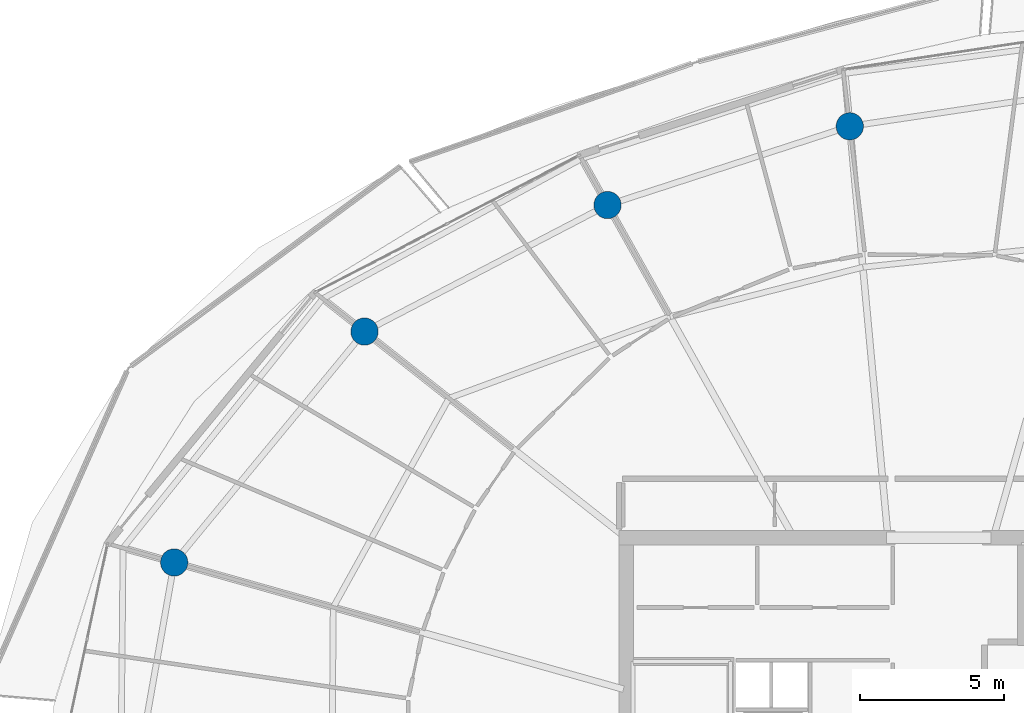
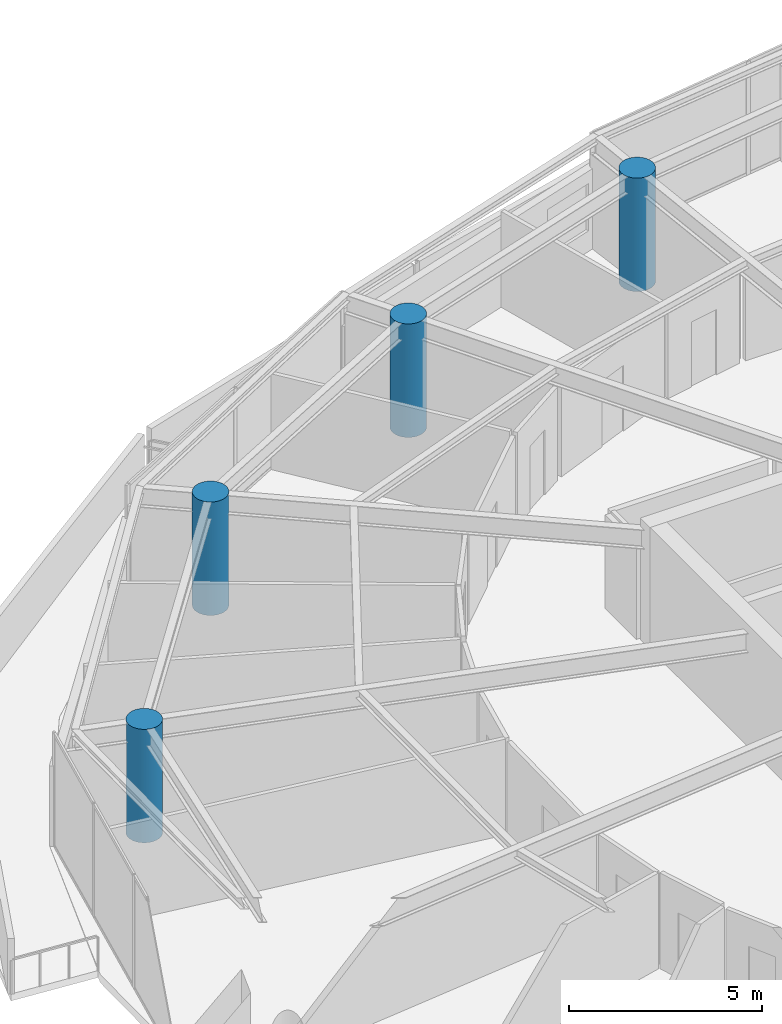
# One storey, part 4 of 30: 4 columns.
"""IFC4 building model written with IfcOpenShell, lengths in metres."""

from ifc_helpers import new_model, si_unit, direction, frame, origin, origin_2d, place, context, subcontext, project, spatial, circle, extrude, material, material_profile, profile_set, type_object, element, save


model = new_model("IFC4")

# Units and contexts
model_context = context("Model", 3, precision=1e-05, world=origin(), true_north=direction((0.0, 1.0)))
body_context = subcontext(model_context, "Body", "Model", "MODEL_VIEW")
ifc_project = project(units=[si_unit("LENGTHUNIT", "METRE"), si_unit("AREAUNIT", "SQUARE_METRE"), si_unit("VOLUMEUNIT", "CUBIC_METRE"), si_unit("PLANEANGLEUNIT", "RADIAN"), si_unit("MASSUNIT", "GRAM", prefix="KILO")], contexts=[model_context])

# Site, building, storey
site_placement = place(None, origin())
site = spatial("IfcSite", under=ifc_project, at=site_placement, CompositionType="ELEMENT")
building_placement = place(site_placement, origin())
building = spatial("IfcBuilding", under=site, at=building_placement, Name="Kazma Halo Residences", CompositionType="ELEMENT")
storey_placement = place(building_placement, frame((0.0, 0.0, 294.449951171875)))
storey = spatial("IfcBuildingStorey", under=building, at=storey_placement, Name="L74", CompositionType="ELEMENT", Elevation=294.449951171875)

# Columns
ifc_material = material(Name="Concrete C60/75", Category="concrete")
ifc_material_profile = material_profile(ifc_material, circle(Radius=0.47509765625, at=origin_2d()), Name="CIRC950")
ifc_profile_set = profile_set([ifc_material_profile], Name="Concrete C60/75")
column_type = type_object("IfcColumnType", Name="COL-PERIM-950", PredefinedType="COLUMN", material=ifc_profile_set)
for number, where, z_axis, x_axis, name in (
    (1, (45.32861328125, 64.57080078125, 0.0), (0.0, 0.0, 1.0), (1.0, 0.0, 0.0), "L74 perimeter ring column P04"),
    (2, (36.89453125, 61.830322265625, 0.0), (0.0, 0.0, 1.0), (1.0, 0.0, 0.0), "L74 perimeter ring column P05"),
    (3, (28.433837890625, 57.4248046875, 0.0), (0.0, 0.0, 1.0), (1.0, 0.0, 0.0), "L74 perimeter ring column P06"),
    (4, (21.80908203125, 49.38671875, 0.0), (0.0, 0.0, 1.0), (1.0, 0.0, 0.0), "L74 perimeter ring column P07"),
):
    element("IfcColumn", number, at=place(storey_placement, frame(where, z_axis=z_axis, x_axis=x_axis)), inside=storey, type_object=column_type, Name=name, PredefinedType="COLUMN", context=body_context, shape_type="SweptSolid", body=[
        extrude(circle(Radius=0.47509765625, at=origin_2d()), origin(), (0.0, 0.0, 1.0), 3.590087890625),
    ])

save(model, "model.ifc")
